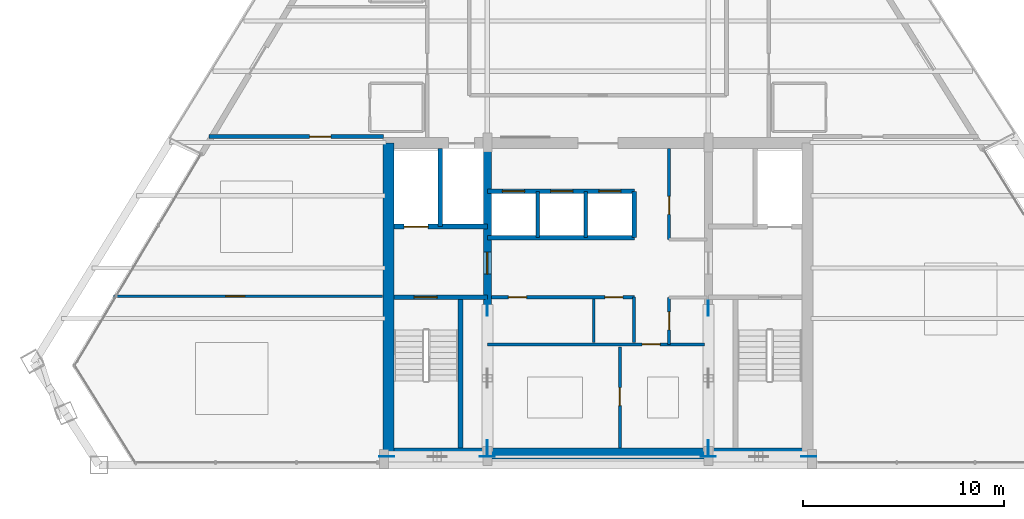
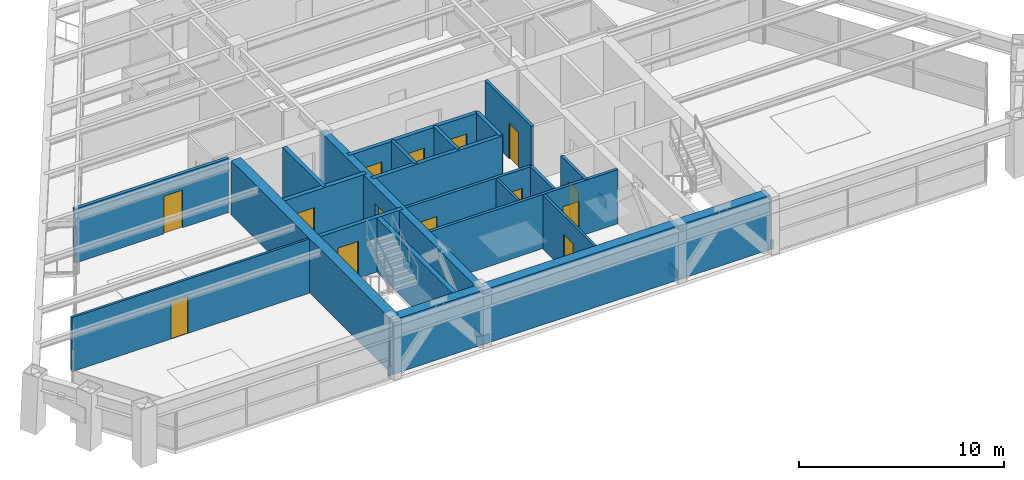
# One storey, part 8 of 12: 21 walls, 14 doors, 8 plates, 14 openings.
"""IFC4 building model written with IfcOpenShell, lengths in metres."""

from ifc_helpers import new_model, si_unit, direction, frame, frame_2d, origin, origin_2d, place, context, subcontext, project, spatial, rectangle, extrude, source, transform, mapped, material, layer, layer_set, type_object, type_shapes, element, fill, save


model = new_model("IFC4")

# Units and contexts
model_context = context("Model", 3, precision=1e-05, world=origin(), true_north=direction((0.0, 1.0)))
body_context = subcontext(model_context, "Body", "Model", "MODEL_VIEW")
ifc_project = project(units=[si_unit("LENGTHUNIT", "METRE"), si_unit("AREAUNIT", "SQUARE_METRE"), si_unit("VOLUMEUNIT", "CUBIC_METRE"), si_unit("PLANEANGLEUNIT", "RADIAN"), si_unit("MASSUNIT", "GRAM", prefix="KILO")], contexts=[model_context])

# Site, building, storey
site_placement = place(None, origin())
site = spatial("IfcSite", under=ifc_project, at=site_placement, CompositionType="ELEMENT")
building_placement = place(site_placement, origin())
building = spatial("IfcBuilding", under=site, at=building_placement, Name="Varnakhor Terracotta Tower", CompositionType="ELEMENT")
storey_placement = place(building_placement, frame((0.0, 0.0, 223.449951171875)))
storey = spatial("IfcBuildingStorey", under=building, at=storey_placement, Name="L57", CompositionType="ELEMENT", Elevation=223.449951171875)

# Plates
ifc_material_1 = material(Name="Steel S460", Category="steel")
ifc_layer_1 = layer(ifc_material_1, 0.050048828125, Name="Steel S460")
ifc_layer_set_1 = layer_set([ifc_layer_1], Name="Steel S460")
plate_type = type_object("IfcPlateType", Name="PLT-GUSSET-50", PredefinedType="USERDEFINED", material=ifc_layer_set_1)
shared_shape_1 = source(origin(), body_context, "Body", "SweptSolid", [
    extrude(rectangle(XDim=0.75, YDim=0.0400390625, at=origin_2d()), origin(), (0.0, 0.0, 1.0), 0.550048828125),
])
type_shapes(plate_type, [shared_shape_1])
for number, where, z_axis, x_axis, name in (
    (1, (-10.5, 0.419921875, -0.09521484375), (0.0, 0.0, 1.0), (1.0, 0.0, 0.0), "L57 Core Brace Embed Plate CSWA"),
    (2, (-5.5, 0.419921875, -0.09521484375), (0.0, 0.0, 1.0), (1.0, 0.0, 0.0), "L57 Core Brace Embed Plate CSWB"),
    (3, (5.5, 0.419921875, -0.09521484375), (0.0, 0.0, 1.0), (1.0, 0.0, 0.0), "L57 Core Brace Embed Plate CSEA"),
    (4, (10.5, 0.419921875, -0.09521484375), (0.0, 0.0, 1.0), (1.0, 0.0, 0.0), "L57 Core Brace Embed Plate CSEB"),
    (5, (-5.5, 0.85009765625, -0.09521484375), (0.0, 0.0, 1.0), (0.0, 1.0, 0.0), "L57 Core Brace Embed Plate CWWA"),
    (6, (-5.5, 7.800048828125, -0.09521484375), (0.0, 0.0, 1.0), (0.0, 1.0, 0.0), "L57 Core Brace Embed Plate CWWB"),
    (7, (5.5, 0.85009765625, -0.09521484375), (0.0, 0.0, 1.0), (0.0, 1.0, 0.0), "L57 Core Brace Embed Plate CWEA"),
    (8, (5.5, 7.800048828125, -0.09521484375), (0.0, 0.0, 1.0), (0.0, 1.0, 0.0), "L57 Core Brace Embed Plate CWEB"),
):
    element("IfcPlate", number, at=place(storey_placement, frame(where, z_axis=z_axis, x_axis=x_axis)), inside=storey, type_object=plate_type, Name=name, ObjectType="GUSSET PLATE", PredefinedType="USERDEFINED", context=body_context, shape_type="MappedRepresentation", body=[
        mapped(shared_shape_1, transform((0.0, 0.0, 0.0), scale=1.0)),
    ])

# Walls
ifc_material_2 = material(Name="Concrete C50/60", Category="concrete")
ifc_layer_2 = layer(ifc_material_2, 0.550048828125, Name="Concrete C50/60")
ifc_layer_set_2 = layer_set([ifc_layer_2], Name="Concrete C50/60")
wall_type_1 = type_object("IfcWallType", Name="WAL-CORE-550", PredefinedType="SHEAR", material=ifc_layer_set_2)
wall_1_placement = place(storey_placement, frame((-10.64990234375, 0.574951171875, 0.0), z_axis=(0.0, 0.0, 1.0), x_axis=(1.0, 0.0, 0.0)))
element("IfcWall", 9, at=wall_1_placement, inside=storey, type_object=wall_type_1, Name="L57 South Core Shear Wall", PredefinedType="SHEAR", context=body_context, shape_type="SweptSolid", body=[
    extrude(rectangle(XDim=21.2998046875, YDim=0.550048828125, at=frame_2d((10.64990234375, 0.0))), origin(), (0.0, 0.0, 1.0), 3.239990234375),
])
wall_2_placement = place(storey_placement, frame((-10.425048828125, 0.574951171875, 0.0), z_axis=(0.0, 0.0, 1.0), x_axis=(0.0, 1.0, 0.0)))
element("IfcWall", 10, at=wall_2_placement, inside=storey, type_object=wall_type_1, Name="L57 West Core Shear Wall", PredefinedType="SHEAR", context=body_context, shape_type="SweptSolid", body=[
    extrude(rectangle(XDim=15.449951171875, YDim=0.550048828125, at=frame_2d((7.72509765625, 0.0))), origin(), (0.0, 0.0, 1.0), 3.239990234375),
])

# Wall, opening, door
ifc_layer_3 = layer(ifc_material_2, 0.39990234375, Name="Concrete C50/60")
ifc_layer_set_3 = layer_set([ifc_layer_3], Name="Concrete C50/60")
wall_type_2 = type_object("IfcWallType", Name="WAL-CORE-WEB-400", PredefinedType="SHEAR", material=ifc_layer_set_3)
wall_3_placement = place(storey_placement, frame((-5.5, 0.574951171875, 0.0), z_axis=(0.0, 0.0, 1.0), x_axis=(0.0, 1.0, 0.0)))
wall_3 = element("IfcWall", 11, at=wall_3_placement, inside=storey, type_object=wall_type_2, Name="L57 West Core Web Shear Wall", PredefinedType="SHEAR", context=body_context, shape_type="SweptSolid", body=[
    extrude(rectangle(XDim=15.449951171875, YDim=0.39990234375, at=frame_2d((7.72509765625, 0.0))), origin(), (0.0, 0.0, 1.0), 3.239990234375),
])
opening_1_placement = place(wall_3_placement, frame((8.925048828125, 0.0, 0.0)))
opening_1 = element("IfcOpeningElement", 12, at=opening_1_placement, cuts=wall_3, Name="Opening DR-25", PredefinedType="OPENING", context=body_context, shape_type="SweptSolid", body=[
    extrude(rectangle(XDim=1.10009765625, YDim=2.199951171875, at=frame_2d((0.550048828125, 1.10009765625))), frame((0.0, 0.2099609375, 0.0), z_axis=(0.0, -1.0, 0.0), x_axis=(1.0, 0.0, 0.0)), (0.0, 0.0, 1.0), 0.419921875),
])
ifc_material_3 = material(Name="Firefighting Lobby Self-Closing Fire Door", Category="steel")
door_type_1 = type_object("IfcDoorType", Name="DR-FFL-1100X2200", OperationType="NOTDEFINED", PredefinedType="DOOR", material=ifc_material_3)
shared_shape_2 = source(origin(), body_context, "Body", "SweptSolid", [
    extrude(rectangle(XDim=1.10009765625, YDim=2.199951171875, at=frame_2d((0.550048828125, 1.10009765625))), frame((0.0, 0.02490234375, 0.0), z_axis=(0.0, -1.0, 0.0), x_axis=(1.0, 0.0, 0.0)), (0.0, 0.0, 1.0), 0.050048828125),
])
type_shapes(door_type_1, [shared_shape_2])
door_1_placement = place(opening_1_placement, origin())
door_1 = element("IfcDoor", 13, at=door_1_placement, inside=storey, type_object=door_type_1, Name="L57 West Firefighting Lobby Door", OperationType="SINGLE_SWING_LEFT", OverallHeight=2.199951171875, OverallWidth=1.10009765625, PredefinedType="DOOR", context=body_context, shape_type="MappedRepresentation", body=[
    mapped(shared_shape_2, transform((0.0, 0.0, 0.0), scale=1.0)),
])
fill(opening_1, door_1)

ifc_material_4 = material(Name="Fire-Rated Gypsum Stud Partition", Category="gypsum")
ifc_layer_4 = layer(ifc_material_4, 0.18505859375, Name="Fire-Rated Gypsum Stud Partition")
ifc_layer_set_4 = layer_set([ifc_layer_4], Name="Fire-Rated Gypsum Stud Partition")
wall_type_3 = type_object("IfcWallType", Name="WAL-CORR-185", PredefinedType="PARTITIONING", material=ifc_layer_set_4)
wall_4_placement = place(storey_placement, frame((-19.357666015625, 16.35009765625, 0.0), z_axis=(0.0, 0.0, 1.0), x_axis=(1.0, 0.0, 0.0)))
wall_4 = element("IfcWall", 14, at=wall_4_placement, inside=storey, type_object=wall_type_3, Name="L57 South West Guest Entry Wall", PredefinedType="PARTITIONING", context=body_context, shape_type="SweptSolid", body=[
    extrude(rectangle(XDim=8.677734375, YDim=0.18505859375, at=frame_2d((4.3388671875, 0.0))), origin(), (0.0, 0.0, 1.0), 3.23193359375),
])
opening_2_placement = place(wall_4_placement, frame((5.013427734375, 0.0, 0.0)))
opening_2 = element("IfcOpeningElement", 15, at=opening_2_placement, cuts=wall_4, Name="Opening DR-95", PredefinedType="OPENING", context=body_context, shape_type="SweptSolid", body=[
    extrude(rectangle(XDim=1.050048828125, YDim=2.25, at=frame_2d((0.52490234375, 1.125))), frame((0.0, 0.1025390625, 0.0), z_axis=(0.0, -1.0, 0.0), x_axis=(1.0, 0.0, 0.0)), (0.0, 0.0, 1.0), 0.205078125),
])
ifc_material_5 = material(Name="Solid-Core Timber Tenant/Hotel Entrance Door", Category="wood")
door_type_2 = type_object("IfcDoorType", Name="DR-SUITE-1050X2250", OperationType="NOTDEFINED", PredefinedType="DOOR", material=ifc_material_5)
shared_shape_3 = source(origin(), body_context, "Body", "SweptSolid", [
    extrude(rectangle(XDim=1.050048828125, YDim=2.25, at=frame_2d((0.52490234375, 1.125))), frame((0.0, 0.02490234375, 0.0), z_axis=(0.0, -1.0, 0.0), x_axis=(1.0, 0.0, 0.0)), (0.0, 0.0, 1.0), 0.050048828125),
])
type_shapes(door_type_2, [shared_shape_3])
door_2_placement = place(opening_2_placement, origin())
door_2 = element("IfcDoor", 16, at=door_2_placement, inside=storey, type_object=door_type_2, Name="L57 SW Suite Entry Door", OperationType="SINGLE_SWING_RIGHT", OverallHeight=2.25, OverallWidth=1.050048828125, PredefinedType="DOOR", context=body_context, shape_type="MappedRepresentation", body=[
    mapped(shared_shape_3, transform((0.0, 0.0, 0.0), scale=1.0)),
])
fill(opening_2, door_2)

ifc_material_6 = material(Name="Concrete C40/50", Category="concrete")
ifc_layer_5 = layer(ifc_material_6, 0.219970703125, Name="Concrete C40/50")
ifc_layer_set_5 = layer_set([ifc_layer_5], Name="Concrete C40/50")
wall_type_4 = type_object("IfcWallType", Name="WAL-FFLOBBY-220", PredefinedType="SOLIDWALL", material=ifc_layer_set_5)
wall_5_placement = place(storey_placement, frame((-5.5, 8.35009765625, 0.0), z_axis=(0.0, 0.0, 1.0), x_axis=(-1.0, 0.0, 0.0)))
wall_5 = element("IfcWall", 17, at=wall_5_placement, inside=storey, type_object=wall_type_4, Name="L57 West Firefighting Lobby Stair Wall", PredefinedType="SOLIDWALL", context=body_context, shape_type="SweptSolid", body=[
    extrude(rectangle(XDim=4.64990234375, YDim=0.219970703125, at=frame_2d((2.324951171875, 0.0))), origin(), (0.0, 0.0, 1.0), 3.239990234375),
])
opening_3_placement = place(wall_5_placement, frame((2.5, 0.0, 0.0)))
opening_3 = element("IfcOpeningElement", 18, at=opening_3_placement, cuts=wall_5, Name="Opening DR-34", PredefinedType="OPENING", context=body_context, shape_type="SweptSolid", body=[
    extrude(rectangle(XDim=1.14990234375, YDim=2.199951171875, at=frame_2d((0.574951171875, 1.10009765625))), frame((0.0, 0.1201171875, 0.0), z_axis=(0.0, -1.0, 0.0), x_axis=(1.0, 0.0, 0.0)), (0.0, 0.0, 1.0), 0.239990234375),
])
ifc_material_7 = material(Name="Self-Closing Smoke-Sealed Steel Fire Door", Category="steel")
door_type_3 = type_object("IfcDoorType", Name="DR-STAIR-1150X2200", OperationType="NOTDEFINED", PredefinedType="DOOR", material=ifc_material_7)
shared_shape_4 = source(origin(), body_context, "Body", "SweptSolid", [
    extrude(rectangle(XDim=1.14990234375, YDim=2.199951171875, at=frame_2d((0.574951171875, 1.10009765625))), frame((0.0, 0.02490234375, 0.0), z_axis=(0.0, -1.0, 0.0), x_axis=(1.0, 0.0, 0.0)), (0.0, 0.0, 1.0), 0.050048828125),
])
type_shapes(door_type_3, [shared_shape_4])
door_3_placement = place(opening_3_placement, origin())
door_3 = element("IfcDoor", 19, at=door_3_placement, inside=storey, type_object=door_type_3, Name="L57 Exit Stair ST-1 Fire Door", OperationType="SINGLE_SWING_RIGHT", OverallHeight=2.199951171875, OverallWidth=1.14990234375, PredefinedType="DOOR", context=body_context, shape_type="MappedRepresentation", body=[
    mapped(shared_shape_4, transform((0.0, 0.0, 0.0), scale=1.0)),
])
fill(opening_3, door_3)

ifc_material_8 = material(Name="Acoustic Hotel Room Partition", Category="gypsum")
ifc_layer_6 = layer(ifc_material_8, 0.1298828125, Name="Acoustic Hotel Room Partition")
ifc_layer_set_6 = layer_set([ifc_layer_6], Name="Acoustic Hotel Room Partition")
wall_type_5 = type_object("IfcWallType", Name="WAL-PART-130", PredefinedType="PARTITIONING", material=ifc_layer_set_6)
wall_6_placement = place(storey_placement, frame((-24.110595703125, 8.39990234375, 0.0), z_axis=(0.0, 0.0, 1.0), x_axis=(1.0, 0.0, 0.0)))
wall_6 = element("IfcWall", 20, at=wall_6_placement, inside=storey, type_object=wall_type_5, Name="L57 SW Key Split 1", PredefinedType="PARTITIONING", context=body_context, shape_type="SweptSolid", body=[
    extrude(rectangle(XDim=13.390625, YDim=0.1298828125, at=frame_2d((6.6953125, 0.0))), origin(), (0.0, 0.0, 1.0), 3.23193359375),
])
opening_4_placement = place(wall_6_placement, frame((5.584716796875, 0.0, 0.0)))
opening_4 = element("IfcOpeningElement", 21, at=opening_4_placement, cuts=wall_6, Name="Opening DR-94", PredefinedType="OPENING", context=body_context, shape_type="SweptSolid", body=[
    extrude(rectangle(XDim=0.949951171875, YDim=2.199951171875, at=frame_2d((0.47509765625, 1.10009765625))), frame((0.0, 0.074951171875, 0.0), z_axis=(0.0, -1.0, 0.0), x_axis=(1.0, 0.0, 0.0)), (0.0, 0.0, 1.0), 0.14990234375),
])
ifc_material_9 = material(Name="Acoustic Glazed-Vision Timber Office Door", Category="wood")
door_type_4 = type_object("IfcDoorType", Name="DR-OFF-950X2200", OperationType="NOTDEFINED", PredefinedType="DOOR", material=ifc_material_9)
shared_shape_5 = source(origin(), body_context, "Body", "SweptSolid", [
    extrude(rectangle(XDim=0.949951171875, YDim=2.199951171875, at=frame_2d((0.47509765625, 1.10009765625))), frame((0.0, 0.02490234375, 0.0), z_axis=(0.0, -1.0, 0.0), x_axis=(1.0, 0.0, 0.0)), (0.0, 0.0, 1.0), 0.050048828125),
])
type_shapes(door_type_4, [shared_shape_5])
door_4_placement = place(opening_4_placement, origin())
door_4 = element("IfcDoor", 22, at=door_4_placement, inside=storey, type_object=door_type_4, Name="L57 SW Suite Connect Door 1", OperationType="SINGLE_SWING_RIGHT", OverallHeight=2.199951171875, OverallWidth=0.949951171875, PredefinedType="DOOR", context=body_context, shape_type="MappedRepresentation", body=[
    mapped(shared_shape_5, transform((0.0, 0.0, 0.0), scale=1.0)),
])
fill(opening_4, door_4)

# Walls
ifc_layer_7 = layer(ifc_material_6, 0.179931640625, Name="Concrete C40/50")
ifc_layer_set_7 = layer_set([ifc_layer_7], Name="Concrete C40/50")
wall_type_6 = type_object("IfcWallType", Name="WAL-SHAFT-180", PredefinedType="SOLIDWALL", material=ifc_layer_set_7)
for number, where, z_axis, x_axis, name in (
    (23, (-3.0, 11.320068359375, 0.0), (0.0, 0.0, 1.0), (0.0, 1.0, 0.0), "L57 PL-3A Divider"),
    (24, (-0.60009765625, 11.320068359375, 0.0), (0.0, 0.0, 1.0), (0.0, 1.0, 0.0), "L57 PL-3B Divider"),
):
    element("IfcWall", number, at=place(storey_placement, frame(where, z_axis=z_axis, x_axis=x_axis)), inside=storey, type_object=wall_type_6, Name=name, PredefinedType="SOLIDWALL", context=body_context, shape_type="SweptSolid", body=[
        extrude(rectangle(XDim=2.300048828125, YDim=0.179931640625, at=frame_2d((1.14990234375, 0.0))), origin(), (0.0, 0.0, 1.0), 3.239990234375),
    ])
ifc_layer_8 = layer(ifc_material_6, 0.219970703125, Name="Concrete C40/50")
ifc_layer_set_8 = layer_set([ifc_layer_8], Name="Concrete C40/50")
wall_type_7 = type_object("IfcWallType", Name="WAL-SHAFT-220", PredefinedType="SOLIDWALL", material=ifc_layer_set_8)
wall_7_placement = place(storey_placement, frame((-7.840087890625, 11.8701171875, 0.0), z_axis=(0.0, 0.0, 1.0), x_axis=(0.0, 1.0, 0.0)))
element("IfcWall", 25, at=wall_7_placement, inside=storey, type_object=wall_type_7, Name="L57 Lift FFL-1 and SVL-1 Divider Wall", PredefinedType="SOLIDWALL", context=body_context, shape_type="SweptSolid", body=[
    extrude(rectangle(XDim=3.8798828125, YDim=0.219970703125, at=frame_2d((1.93994140625, 0.0))), origin(), (0.0, 0.0, 1.0), 3.239990234375),
])
wall_8_placement = place(storey_placement, frame((-5.5, 11.320068359375, 0.0), z_axis=(0.0, 0.0, 1.0), x_axis=(1.0, 0.0, 0.0)))
element("IfcWall", 26, at=wall_8_placement, inside=storey, type_object=wall_type_7, Name="L57 Bank 3 South Shaft Wall", PredefinedType="SOLIDWALL", context=body_context, shape_type="SweptSolid", body=[
    extrude(rectangle(XDim=7.320068359375, YDim=0.219970703125, at=frame_2d((3.66015625, 0.0))), origin(), (0.0, 0.0, 1.0), 3.239990234375),
])

# Wall, openings, doors
wall_9_placement = place(storey_placement, frame((-5.5, 13.6201171875, 0.0), z_axis=(0.0, 0.0, 1.0), x_axis=(1.0, 0.0, 0.0)))
wall_9 = element("IfcWall", 27, at=wall_9_placement, inside=storey, type_object=wall_type_7, Name="L57 Bank 3 North Shaft Wall", PredefinedType="SOLIDWALL", context=body_context, shape_type="SweptSolid", body=[
    extrude(rectangle(XDim=7.320068359375, YDim=0.219970703125, at=frame_2d((3.66015625, 0.0))), origin(), (0.0, 0.0, 1.0), 3.239990234375),
])
opening_5_placement = place(wall_9_placement, frame((0.75, 0.0, 0.0)))
opening_5 = element("IfcOpeningElement", 28, at=opening_5_placement, cuts=wall_9, Name="Opening LD-01", PredefinedType="OPENING", context=body_context, shape_type="SweptSolid", body=[
    extrude(rectangle(XDim=1.10009765625, YDim=2.199951171875, at=frame_2d((0.550048828125, 1.10009765625))), frame((0.0, 0.1201171875, 0.0), z_axis=(0.0, -1.0, 0.0), x_axis=(1.0, 0.0, 0.0)), (0.0, 0.0, 1.0), 0.239990234375),
])
opening_6_placement = place(wall_9_placement, frame((3.14990234375, 0.0, 0.0)))
opening_6 = element("IfcOpeningElement", 29, at=opening_6_placement, cuts=wall_9, Name="Opening LD-01", PredefinedType="OPENING", context=body_context, shape_type="SweptSolid", body=[
    extrude(rectangle(XDim=1.10009765625, YDim=2.199951171875, at=frame_2d((0.550048828125, 1.10009765625))), frame((0.0, 0.1201171875, 0.0), z_axis=(0.0, -1.0, 0.0), x_axis=(1.0, 0.0, 0.0)), (0.0, 0.0, 1.0), 0.239990234375),
])
opening_7_placement = place(wall_9_placement, frame((5.550048828125, 0.0, 0.0)))
opening_7 = element("IfcOpeningElement", 30, at=opening_7_placement, cuts=wall_9, Name="Opening LD-01", PredefinedType="OPENING", context=body_context, shape_type="SweptSolid", body=[
    extrude(rectangle(XDim=1.10009765625, YDim=2.199951171875, at=frame_2d((0.550048828125, 1.10009765625))), frame((0.0, 0.1201171875, 0.0), z_axis=(0.0, -1.0, 0.0), x_axis=(1.0, 0.0, 0.0)), (0.0, 0.0, 1.0), 0.239990234375),
])
ifc_material_10 = material(Name="Brushed Stainless Steel Sliding Lift Landing Door", Category="steel")
door_type_5 = type_object("IfcDoorType", Name="LD-PASS-1100X2200", OperationType="NOTDEFINED", PredefinedType="DOOR", material=ifc_material_10)
shared_shape_6 = source(origin(), body_context, "Body", "SweptSolid", [
    extrude(rectangle(XDim=1.10009765625, YDim=2.199951171875, at=frame_2d((0.550048828125, 1.10009765625))), frame((0.0, 0.02490234375, 0.0), z_axis=(0.0, -1.0, 0.0), x_axis=(1.0, 0.0, 0.0)), (0.0, 0.0, 1.0), 0.050048828125),
])
type_shapes(door_type_5, [shared_shape_6])
door_5_placement = place(opening_5_placement, origin())
door_5 = element("IfcDoor", 31, at=door_5_placement, inside=storey, type_object=door_type_5, Name="L57 Passenger Lift PL-3A Landing Door", OperationType="SLIDING_TO_RIGHT", OverallHeight=2.199951171875, OverallWidth=1.10009765625, PredefinedType="DOOR", context=body_context, shape_type="MappedRepresentation", body=[
    mapped(shared_shape_6, transform((0.0, 0.0, 0.0), scale=1.0)),
])
fill(opening_5, door_5)
door_6_placement = place(opening_6_placement, origin())
door_6 = element("IfcDoor", 32, at=door_6_placement, inside=storey, type_object=door_type_5, Name="L57 Passenger Lift PL-3B Landing Door", OperationType="SLIDING_TO_RIGHT", OverallHeight=2.199951171875, OverallWidth=1.10009765625, PredefinedType="DOOR", context=body_context, shape_type="MappedRepresentation", body=[
    mapped(shared_shape_6, transform((0.0, 0.0, 0.0), scale=1.0)),
])
fill(opening_6, door_6)
door_7_placement = place(opening_7_placement, origin())
door_7 = element("IfcDoor", 33, at=door_7_placement, inside=storey, type_object=door_type_5, Name="L57 Passenger Lift PL-3C Landing Door", OperationType="SLIDING_TO_RIGHT", OverallHeight=2.199951171875, OverallWidth=1.10009765625, PredefinedType="DOOR", context=body_context, shape_type="MappedRepresentation", body=[
    mapped(shared_shape_6, transform((0.0, 0.0, 0.0), scale=1.0)),
])
fill(opening_7, door_7)

# Walls
wall_10_placement = place(storey_placement, frame((1.800048828125, 11.320068359375, 0.0), z_axis=(0.0, 0.0, 1.0), x_axis=(0.0, 1.0, 0.0)))
element("IfcWall", 34, at=wall_10_placement, inside=storey, type_object=wall_type_7, Name="L57 Bank 3 East Shaft Wall", PredefinedType="SOLIDWALL", context=body_context, shape_type="SweptSolid", body=[
    extrude(rectangle(XDim=2.300048828125, YDim=0.219970703125, at=frame_2d((1.14990234375, 0.0))), origin(), (0.0, 0.0, 1.0), 3.239990234375),
])
ifc_layer_9 = layer(ifc_material_6, 0.25, Name="Concrete C40/50")
ifc_layer_set_9 = layer_set([ifc_layer_9], Name="Concrete C40/50")
wall_type_8 = type_object("IfcWallType", Name="WAL-SHAFT-250", PredefinedType="SOLIDWALL", material=ifc_layer_set_9)
wall_11_placement = place(storey_placement, frame((-6.85009765625, 0.85009765625, 0.0), z_axis=(0.0, 0.0, 1.0), x_axis=(0.0, 1.0, 0.0)))
element("IfcWall", 35, at=wall_11_placement, inside=storey, type_object=wall_type_8, Name="L57 Stair ST-1 Bearing Shaft Wall", PredefinedType="SOLIDWALL", context=body_context, shape_type="SweptSolid", body=[
    extrude(rectangle(XDim=7.5, YDim=0.25, at=frame_2d((3.75, 0.0))), origin(), (0.0, 0.0, 1.0), 3.239990234375),
])

# Wall, opening, door
wall_12_placement = place(storey_placement, frame((-5.5, 11.8701171875, 0.0), z_axis=(0.0, 0.0, 1.0), x_axis=(-1.0, 0.0, 0.0)))
wall_12 = element("IfcWall", 36, at=wall_12_placement, inside=storey, type_object=wall_type_8, Name="L57 Lift FFL-1 Shaft Front Wall", PredefinedType="SOLIDWALL", context=body_context, shape_type="SweptSolid", body=[
    extrude(rectangle(XDim=4.64990234375, YDim=0.25, at=frame_2d((2.324951171875, 0.0))), origin(), (0.0, 0.0, 1.0), 3.239990234375),
])
opening_8_placement = place(wall_12_placement, frame((2.949951171875, 0.0, 0.0)))
opening_8 = element("IfcOpeningElement", 37, at=opening_8_placement, cuts=wall_12, Name="Opening LD-02", PredefinedType="OPENING", context=body_context, shape_type="SweptSolid", body=[
    extrude(rectangle(XDim=1.199951171875, YDim=2.25, at=frame_2d((0.60009765625, 1.125))), frame((0.0, 0.135009765625, 0.0), z_axis=(0.0, -1.0, 0.0), x_axis=(1.0, 0.0, 0.0)), (0.0, 0.0, 1.0), 0.27001953125),
])
ifc_material_11 = material(Name="Firefighting Stretcher Sliding Lift Landing Door", Category="steel")
door_type_6 = type_object("IfcDoorType", Name="LD-FFL-1200X2250", OperationType="NOTDEFINED", PredefinedType="DOOR", material=ifc_material_11)
shared_shape_7 = source(origin(), body_context, "Body", "SweptSolid", [
    extrude(rectangle(XDim=1.199951171875, YDim=2.25, at=frame_2d((0.60009765625, 1.125))), frame((0.0, 0.02490234375, 0.0), z_axis=(0.0, -1.0, 0.0), x_axis=(1.0, 0.0, 0.0)), (0.0, 0.0, 1.0), 0.050048828125),
])
type_shapes(door_type_6, [shared_shape_7])
door_8_placement = place(opening_8_placement, origin())
door_8 = element("IfcDoor", 38, at=door_8_placement, inside=storey, type_object=door_type_6, Name="L57 Firefighting Lift FFL-1 Landing Door", OperationType="SLIDING_TO_LEFT", OverallHeight=2.25, OverallWidth=1.199951171875, PredefinedType="DOOR", context=body_context, shape_type="MappedRepresentation", body=[
    mapped(shared_shape_7, transform((0.0, 0.0, 0.0), scale=1.0)),
])
fill(opening_8, door_8)

# Wall
ifc_material_12 = material(Name="Acoustic Fire-Rated Partition", Category="gypsum")
ifc_layer_10 = layer(ifc_material_12, 0.114990234375, Name="Acoustic Fire-Rated Partition")
ifc_layer_set_10 = layer_set([ifc_layer_10], Name="Acoustic Fire-Rated Partition")
wall_type_9 = type_object("IfcWallType", Name="WAL-TENANCY-115", PredefinedType="PARTITIONING", material=ifc_layer_set_10)
wall_13_placement = place(storey_placement, frame((-0.199951171875, 6.10009765625, 0.0), z_axis=(0.0, 0.0, 1.0), x_axis=(0.0, 1.0, 0.0)))
element("IfcWall", 39, at=wall_13_placement, inside=storey, type_object=wall_type_9, Name="L57 Reclaimed Mid-Core Split Wall", PredefinedType="PARTITIONING", context=body_context, shape_type="SweptSolid", body=[
    extrude(rectangle(XDim=2.14990234375, YDim=0.114990234375, at=frame_2d((1.074951171875, 0.0))), origin(), (0.0, 0.0, 1.0), 3.23193359375),
])

# Wall, opening, door
ifc_layer_11 = layer(ifc_material_12, 0.139892578125, Name="Acoustic Fire-Rated Partition")
ifc_layer_set_11 = layer_set([ifc_layer_11], Name="Acoustic Fire-Rated Partition")
wall_type_10 = type_object("IfcWallType", Name="WAL-TENANCY-140", PredefinedType="PARTITIONING", material=ifc_layer_set_11)
wall_14_placement = place(storey_placement, frame((1.10009765625, 0.85009765625, 0.0), z_axis=(0.0, 0.0, 1.0), x_axis=(0.0, 1.0, 0.0)))
wall_14 = element("IfcWall", 40, at=wall_14_placement, inside=storey, type_object=wall_type_10, Name="L57 Reclaimed Core Bay Split Wall", PredefinedType="PARTITIONING", context=body_context, shape_type="SweptSolid", body=[
    extrude(rectangle(XDim=5.02978515625, YDim=0.139892578125, at=frame_2d((2.514892578125, 0.0))), origin(), (0.0, 0.0, 1.0), 3.23193359375),
])
opening_9_placement = place(wall_14_placement, frame((2.10009765625, 0.0, 0.0)))
opening_9 = element("IfcOpeningElement", 41, at=opening_9_placement, cuts=wall_14, Name="Opening DR-67", PredefinedType="OPENING", context=body_context, shape_type="SweptSolid", body=[
    extrude(rectangle(XDim=0.89990234375, YDim=2.10009765625, at=frame_2d((0.449951171875, 1.050048828125))), frame((0.0, 0.080078125, 0.0), z_axis=(0.0, -1.0, 0.0), x_axis=(1.0, 0.0, 0.0)), (0.0, 0.0, 1.0), 0.159912109375),
])
ifc_material_13 = material(Name="Steel Service Riser Fire Door", Category="steel")
door_type_7 = type_object("IfcDoorType", Name="DR-RISER-900X2100", OperationType="NOTDEFINED", PredefinedType="DOOR", material=ifc_material_13)
shared_shape_8 = source(origin(), body_context, "Body", "SweptSolid", [
    extrude(rectangle(XDim=0.89990234375, YDim=2.10009765625, at=frame_2d((0.449951171875, 1.050048828125))), frame((0.0, 0.02490234375, 0.0), z_axis=(0.0, -1.0, 0.0), x_axis=(1.0, 0.0, 0.0)), (0.0, 0.0, 1.0), 0.050048828125),
])
type_shapes(door_type_7, [shared_shape_8])
door_9_placement = place(opening_9_placement, origin())
door_9 = element("IfcDoor", 42, at=door_9_placement, inside=storey, type_object=door_type_7, Name="L57 Core Inner Service Door", OperationType="SINGLE_SWING_LEFT", OverallHeight=2.10009765625, OverallWidth=0.89990234375, PredefinedType="DOOR", context=body_context, shape_type="MappedRepresentation", body=[
    mapped(shared_shape_8, transform((0.0, 0.0, 0.0), scale=1.0)),
])
fill(opening_9, door_9)

ifc_layer_12 = layer(ifc_material_12, 0.1650390625, Name="Acoustic Fire-Rated Partition")
ifc_layer_set_12 = layer_set([ifc_layer_12], Name="Acoustic Fire-Rated Partition")
wall_type_11 = type_object("IfcWallType", Name="WAL-TENANCY-165", PredefinedType="PARTITIONING", material=ifc_layer_set_12)
wall_15_placement = place(storey_placement, frame((-5.5, 6.0, 0.0), z_axis=(0.0, 0.0, 1.0), x_axis=(1.0, 0.0, 0.0)))
wall_15 = element("IfcWall", 43, at=wall_15_placement, inside=storey, type_object=wall_type_11, Name="L57 Reclaimed Core Bay North Rated Wall", PredefinedType="PARTITIONING", context=body_context, shape_type="SweptSolid", body=[
    extrude(rectangle(XDim=10.800048828125, YDim=0.1650390625, at=frame_2d((5.39990234375, 0.0))), origin(), (0.0, 0.0, 1.0), 3.23193359375),
])
opening_10_placement = place(wall_15_placement, frame((7.699951171875, 0.0, 0.0)))
opening_10 = element("IfcOpeningElement", 44, at=opening_10_placement, cuts=wall_15, Name="Opening DR-67", PredefinedType="OPENING", context=body_context, shape_type="SweptSolid", body=[
    extrude(rectangle(XDim=0.89990234375, YDim=2.10009765625, at=frame_2d((0.449951171875, 1.050048828125))), frame((0.0, 0.092529296875, 0.0), z_axis=(0.0, -1.0, 0.0), x_axis=(1.0, 0.0, 0.0)), (0.0, 0.0, 1.0), 0.18505859375),
])
door_10_placement = place(opening_10_placement, origin())
door_10 = element("IfcDoor", 45, at=door_10_placement, inside=storey, type_object=door_type_7, Name="L57 Core Reclaimed Suite Door", OperationType="SINGLE_SWING_RIGHT", OverallHeight=2.10009765625, OverallWidth=0.89990234375, PredefinedType="DOOR", context=body_context, shape_type="MappedRepresentation", body=[
    mapped(shared_shape_8, transform((0.0, 0.0, 0.0), scale=1.0)),
])
fill(opening_10, door_10)

wall_16_placement = place(storey_placement, frame((3.5400390625, 6.0, 0.0), z_axis=(0.0, 0.0, 1.0), x_axis=(0.0, 1.0, 0.0)))
wall_16 = element("IfcWall", 46, at=wall_16_placement, inside=storey, type_object=wall_type_11, Name="L57 Accessible WC Rated Wall", PredefinedType="PARTITIONING", context=body_context, shape_type="SweptSolid", body=[
    extrude(rectangle(XDim=2.340087890625, YDim=0.1650390625, at=frame_2d((1.169921875, 0.0))), origin(), (0.0, 0.0, 1.0), 3.23193359375),
])
opening_11_placement = place(wall_16_placement, frame((0.719970703125, 0.0, 0.0)))
opening_11 = element("IfcOpeningElement", 47, at=opening_11_placement, cuts=wall_16, Name="Opening DR-67", PredefinedType="OPENING", context=body_context, shape_type="SweptSolid", body=[
    extrude(rectangle(XDim=0.89990234375, YDim=2.10009765625, at=frame_2d((0.449951171875, 1.050048828125))), frame((0.0, 0.092529296875, 0.0), z_axis=(0.0, -1.0, 0.0), x_axis=(1.0, 0.0, 0.0)), (0.0, 0.0, 1.0), 0.18505859375),
])
door_11_placement = place(opening_11_placement, origin())
door_11 = element("IfcDoor", 48, at=door_11_placement, inside=storey, type_object=door_type_7, Name="L57 Accessible WC Door", OperationType="SINGLE_SWING_RIGHT", OverallHeight=2.10009765625, OverallWidth=0.89990234375, PredefinedType="DOOR", context=body_context, shape_type="MappedRepresentation", body=[
    mapped(shared_shape_8, transform((0.0, 0.0, 0.0), scale=1.0)),
])
fill(opening_11, door_11)

# Wall, openings, doors
wall_17_placement = place(storey_placement, frame((-5.300048828125, 8.35009765625, 0.0), z_axis=(0.0, 0.0, 1.0), x_axis=(1.0, 0.0, 0.0)))
wall_17 = element("IfcWall", 49, at=wall_17_placement, inside=storey, type_object=wall_type_11, Name="L57 Reclaimed Mid-Core North Wall", PredefinedType="PARTITIONING", context=body_context, shape_type="SweptSolid", body=[
    extrude(rectangle(XDim=7.1201171875, YDim=0.1650390625, at=frame_2d((3.56005859375, 0.0))), origin(), (0.0, 0.0, 1.0), 3.23193359375),
])
opening_12_placement = place(wall_17_placement, frame((0.85009765625, 0.0, 0.0)))
opening_12 = element("IfcOpeningElement", 50, at=opening_12_placement, cuts=wall_17, Name="Opening DR-67", PredefinedType="OPENING", context=body_context, shape_type="SweptSolid", body=[
    extrude(rectangle(XDim=0.89990234375, YDim=2.10009765625, at=frame_2d((0.449951171875, 1.050048828125))), frame((0.0, 0.092529296875, 0.0), z_axis=(0.0, -1.0, 0.0), x_axis=(1.0, 0.0, 0.0)), (0.0, 0.0, 1.0), 0.18505859375),
])
opening_13_placement = place(wall_17_placement, frame((5.64990234375, 0.0, 0.0)))
opening_13 = element("IfcOpeningElement", 51, at=opening_13_placement, cuts=wall_17, Name="Opening DR-67", PredefinedType="OPENING", context=body_context, shape_type="SweptSolid", body=[
    extrude(rectangle(XDim=0.89990234375, YDim=2.10009765625, at=frame_2d((0.449951171875, 1.050048828125))), frame((0.0, 0.092529296875, 0.0), z_axis=(0.0, -1.0, 0.0), x_axis=(1.0, 0.0, 0.0)), (0.0, 0.0, 1.0), 0.18505859375),
])
door_12_placement = place(opening_12_placement, origin())
door_12 = element("IfcDoor", 52, at=door_12_placement, inside=storey, type_object=door_type_7, Name="L57 Core West Restroom Door", OperationType="SINGLE_SWING_LEFT", OverallHeight=2.10009765625, OverallWidth=0.89990234375, PredefinedType="DOOR", context=body_context, shape_type="MappedRepresentation", body=[
    mapped(shared_shape_8, transform((0.0, 0.0, 0.0), scale=1.0)),
])
fill(opening_12, door_12)
door_13_placement = place(opening_13_placement, origin())
door_13 = element("IfcDoor", 53, at=door_13_placement, inside=storey, type_object=door_type_7, Name="L57 Core East Restroom Door", OperationType="SINGLE_SWING_RIGHT", OverallHeight=2.10009765625, OverallWidth=0.89990234375, PredefinedType="DOOR", context=body_context, shape_type="MappedRepresentation", body=[
    mapped(shared_shape_8, transform((0.0, 0.0, 0.0), scale=1.0)),
])
fill(opening_13, door_13)

# Wall
wall_18_placement = place(storey_placement, frame((1.800048828125, 6.10009765625, 0.0), z_axis=(0.0, 0.0, 1.0), x_axis=(0.0, 1.0, 0.0)))
element("IfcWall", 54, at=wall_18_placement, inside=storey, type_object=wall_type_11, Name="L57 Reclaimed Mid-Core East Wall", PredefinedType="PARTITIONING", context=body_context, shape_type="SweptSolid", body=[
    extrude(rectangle(XDim=2.25, YDim=0.1650390625, at=frame_2d((1.125, 0.0))), origin(), (0.0, 0.0, 1.0), 3.23193359375),
])

# Wall, opening, door
wall_19_placement = place(storey_placement, frame((3.5400390625, 11.219970703125, 0.0), z_axis=(0.0, 0.0, 1.0), x_axis=(0.0, 1.0, 0.0)))
wall_19 = element("IfcWall", 55, at=wall_19_placement, inside=storey, type_object=wall_type_11, Name="L57 Restroom Corridor Wall", PredefinedType="PARTITIONING", context=body_context, shape_type="SweptSolid", body=[
    extrude(rectangle(XDim=4.530029296875, YDim=0.1650390625, at=frame_2d((2.26513671875, 0.0))), origin(), (0.0, 0.0, 1.0), 3.23193359375),
])
opening_14_placement = place(wall_19_placement, frame((1.25, 0.0, 0.0)))
opening_14 = element("IfcOpeningElement", 56, at=opening_14_placement, cuts=wall_19, Name="Opening DR-67", PredefinedType="OPENING", context=body_context, shape_type="SweptSolid", body=[
    extrude(rectangle(XDim=0.89990234375, YDim=2.10009765625, at=frame_2d((0.449951171875, 1.050048828125))), frame((0.0, 0.092529296875, 0.0), z_axis=(0.0, -1.0, 0.0), x_axis=(1.0, 0.0, 0.0)), (0.0, 0.0, 1.0), 0.18505859375),
])
door_14_placement = place(opening_14_placement, origin())
door_14 = element("IfcDoor", 57, at=door_14_placement, inside=storey, type_object=door_type_7, Name="L57 Female WC Door", OperationType="SINGLE_SWING_LEFT", OverallHeight=2.10009765625, OverallWidth=0.89990234375, PredefinedType="DOOR", context=body_context, shape_type="MappedRepresentation", body=[
    mapped(shared_shape_8, transform((0.0, 0.0, 0.0), scale=1.0)),
])
fill(opening_14, door_14)

save(model, "model.ifc")
